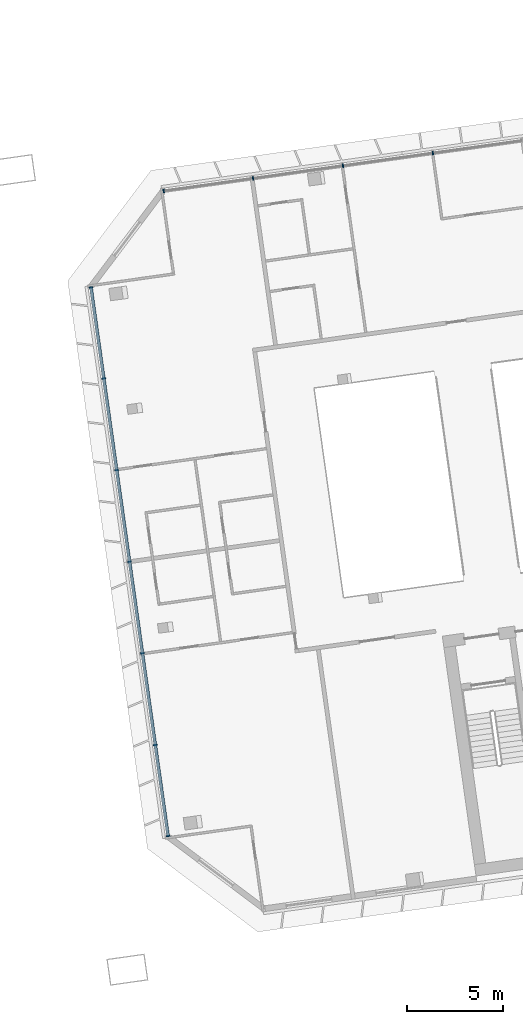
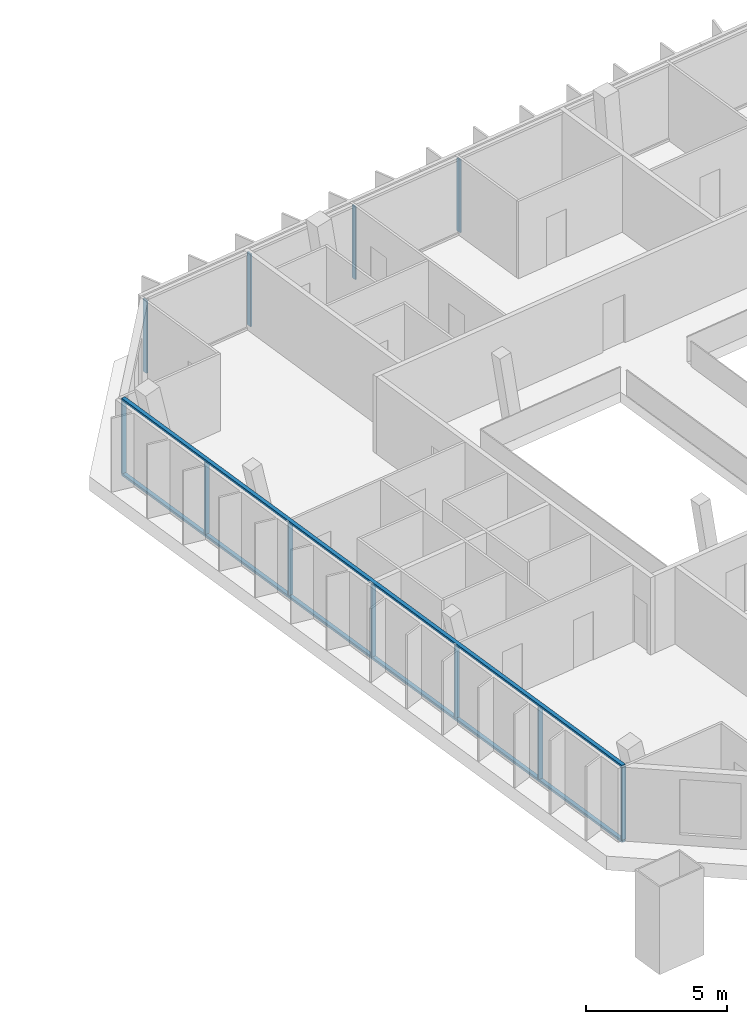
# One storey, part 8 of 25: 13 members, 2 elements without a shape of their own.
"""IFC4 building model written with IfcOpenShell, lengths in metres."""

from ifc_helpers import new_model, si_unit, direction, frame, origin, origin_2d, place, context, subcontext, project, spatial, rectangle, extrude, material, material_profile, profile_set, type_object, element, aggregate, save


model = new_model("IFC4")

# Units and contexts
model_context = context("Model", 3, precision=1e-05, world=origin(), true_north=direction((0.0, 1.0)))
body_context = subcontext(model_context, "Body", "Model", "MODEL_VIEW")
ifc_project = project(units=[si_unit("LENGTHUNIT", "METRE"), si_unit("AREAUNIT", "SQUARE_METRE"), si_unit("VOLUMEUNIT", "CUBIC_METRE"), si_unit("PLANEANGLEUNIT", "RADIAN"), si_unit("MASSUNIT", "GRAM", prefix="KILO")], contexts=[model_context])

# Site, building, storey
site_placement = place(None, origin())
site = spatial("IfcSite", under=ifc_project, at=site_placement, CompositionType="ELEMENT")
building_placement = place(site_placement, origin())
building = spatial("IfcBuilding", under=site, at=building_placement, Name="Mirante Cascada Hotel Towers", CompositionType="ELEMENT")
storey_placement = place(building_placement, frame((0.0, 0.0, 247.0)))
storey = spatial("IfcBuildingStorey", under=building, at=storey_placement, Name="L59", CompositionType="ELEMENT", Elevation=247.0)

# Curtain wall, members
ifc_material_1 = material(Name="Aluminium mullion and transom frame with clear laminated glass", Category="aluminium")
curtain_wall_type_1 = type_object("IfcCurtainWallType", Name="Ribbon curtain wall ECW1", PredefinedType="NOTDEFINED", material=ifc_material_1)
curtain_wall_1_placement = place(storey_placement, origin())
curtain_wall_1 = element("IfcCurtainWall", 1, at=curtain_wall_1_placement, inside=storey, type_object=curtain_wall_type_1, Name="Front ribbon wall T2 L59", PredefinedType="NOTDEFINED")
ifc_material_2 = material(Name="Anodised aluminium extrusion", Category="aluminium")
ifc_material_profile_1 = material_profile(ifc_material_2, rectangle(XDim=0.2, YDim=0.065, at=origin_2d()), Name="ECW1 MULLION 65x200")
ifc_profile_set_1 = profile_set([ifc_material_profile_1], Name="Anodised aluminium extrusion")
member_type_1 = type_object("IfcMemberType", Name="ECW1 mullion 65x200", PredefinedType="MULLION", material=ifc_profile_set_1)
member_1_placement = place(storey_placement, frame((35.1139, 17.754, 0.1), z_axis=(0.0, 0.0, 1.0), x_axis=(0.1391731, -0.9902681, 0.0)))
member_1 = element("IfcMember", 2, at=member_1_placement, type_object=member_type_1, Name="ECW1 mullion 6", PredefinedType="MULLION", context=body_context, shape_type="SweptSolid", body=[
    extrude(rectangle(XDim=0.2, YDim=0.065, at=origin_2d()), origin(), (0.0, 0.0, 1.0), 3.15),
])
member_2_placement = place(storey_placement, frame((30.435, 17.0964, 0.1), z_axis=(0.0, 0.0, 1.0), x_axis=(0.1391731, -0.9902681, 0.0)))
member_2 = element("IfcMember", 3, at=member_2_placement, type_object=member_type_1, Name="ECW1 mullion 7", PredefinedType="MULLION", context=body_context, shape_type="SweptSolid", body=[
    extrude(rectangle(XDim=0.2, YDim=0.065, at=origin_2d()), origin(), (0.0, 0.0, 1.0), 3.15),
])
member_3_placement = place(storey_placement, frame((25.756, 16.4388, 0.1), z_axis=(0.0, 0.0, 1.0), x_axis=(0.1391731, -0.9902681, 0.0)))
member_3 = element("IfcMember", 4, at=member_3_placement, type_object=member_type_1, Name="ECW1 mullion 8", PredefinedType="MULLION", context=body_context, shape_type="SweptSolid", body=[
    extrude(rectangle(XDim=0.2, YDim=0.065, at=origin_2d()), origin(), (0.0, 0.0, 1.0), 3.15),
])
member_4_placement = place(storey_placement, frame((21.1093, 15.7857, 0.1), z_axis=(0.0, 0.0, 1.0), x_axis=(0.1391731, -0.9902681, 0.0)))
member_4 = element("IfcMember", 5, at=member_4_placement, type_object=member_type_1, Name="ECW1 mullion 9", PredefinedType="MULLION", context=body_context, shape_type="SweptSolid", body=[
    extrude(rectangle(XDim=0.2, YDim=0.065, at=origin_2d()), origin(), (0.0, 0.0, 1.0), 3.15),
])
aggregate(curtain_wall_1, [member_1, member_2, member_3, member_4])

ifc_material_3 = material(Name="Aluminium mullion and transom frame with clear laminated glass", Category="aluminium")
curtain_wall_type_2 = type_object("IfcCurtainWallType", Name="End ribbon curtain wall ECW2", PredefinedType="NOTDEFINED", material=ifc_material_3)
curtain_wall_2_placement = place(storey_placement, origin())
curtain_wall_2 = element("IfcCurtainWall", 6, at=curtain_wall_2_placement, inside=storey, type_object=curtain_wall_type_2, Name="Inner end wall T2 L59", PredefinedType="NOTDEFINED")
ifc_material_4 = material(Name="Anodised aluminium extrusion", Category="aluminium")
ifc_material_profile_2 = material_profile(ifc_material_4, rectangle(XDim=0.2, YDim=0.065, at=origin_2d()), Name="ECW2 MULLION 65x200")
ifc_profile_set_2 = profile_set([ifc_material_profile_2], Name="Anodised aluminium extrusion")
member_type_2 = type_object("IfcMemberType", Name="ECW2 mullion 65x200", PredefinedType="MULLION", material=ifc_profile_set_2)
member_5_placement = place(storey_placement, frame((17.3265, 10.7658, 0.1), z_axis=(0.0, 0.0, 1.0), x_axis=(0.9902681, 0.1391731, 0.0)))
member_5 = element("IfcMember", 7, at=member_5_placement, type_object=member_type_2, Name="ECW2 mullion 1", PredefinedType="MULLION", context=body_context, shape_type="SweptSolid", body=[
    extrude(rectangle(XDim=0.2, YDim=0.065, at=origin_2d()), origin(), (0.0, 0.0, 1.0), 3.15),
])
member_6_placement = place(storey_placement, frame((17.9918, 6.0322, 0.1), z_axis=(0.0, 0.0, 1.0), x_axis=(0.9902681, 0.1391731, 0.0)))
member_6 = element("IfcMember", 8, at=member_6_placement, type_object=member_type_2, Name="ECW2 mullion 2", PredefinedType="MULLION", context=body_context, shape_type="SweptSolid", body=[
    extrude(rectangle(XDim=0.2, YDim=0.065, at=origin_2d()), origin(), (0.0, 0.0, 1.0), 3.15),
])
member_7_placement = place(storey_placement, frame((18.6616, 1.2664, 0.1), z_axis=(0.0, 0.0, 1.0), x_axis=(0.9902681, 0.1391731, 0.0)))
member_7 = element("IfcMember", 9, at=member_7_placement, type_object=member_type_2, Name="ECW2 mullion 3", PredefinedType="MULLION", context=body_context, shape_type="SweptSolid", body=[
    extrude(rectangle(XDim=0.2, YDim=0.065, at=origin_2d()), origin(), (0.0, 0.0, 1.0), 3.15),
])
member_8_placement = place(storey_placement, frame((19.3313, -3.4994, 0.1), z_axis=(0.0, 0.0, 1.0), x_axis=(0.9902681, 0.1391731, 0.0)))
member_8 = element("IfcMember", 10, at=member_8_placement, type_object=member_type_2, Name="ECW2 mullion 4", PredefinedType="MULLION", context=body_context, shape_type="SweptSolid", body=[
    extrude(rectangle(XDim=0.2, YDim=0.065, at=origin_2d()), origin(), (0.0, 0.0, 1.0), 3.15),
])
member_9_placement = place(storey_placement, frame((20.0011, -8.2652, 0.1), z_axis=(0.0, 0.0, 1.0), x_axis=(0.9902681, 0.1391731, 0.0)))
member_9 = element("IfcMember", 11, at=member_9_placement, type_object=member_type_2, Name="ECW2 mullion 5", PredefinedType="MULLION", context=body_context, shape_type="SweptSolid", body=[
    extrude(rectangle(XDim=0.2, YDim=0.065, at=origin_2d()), origin(), (0.0, 0.0, 1.0), 3.15),
])
member_10_placement = place(storey_placement, frame((20.6709, -13.031, 0.1), z_axis=(0.0, 0.0, 1.0), x_axis=(0.9902681, 0.1391731, 0.0)))
member_10 = element("IfcMember", 12, at=member_10_placement, type_object=member_type_2, Name="ECW2 mullion 6", PredefinedType="MULLION", context=body_context, shape_type="SweptSolid", body=[
    extrude(rectangle(XDim=0.2, YDim=0.065, at=origin_2d()), origin(), (0.0, 0.0, 1.0), 3.15),
])
member_11_placement = place(storey_placement, frame((21.3362, -17.7646, 0.1), z_axis=(0.0, 0.0, 1.0), x_axis=(0.9902681, 0.1391731, 0.0)))
member_11 = element("IfcMember", 13, at=member_11_placement, type_object=member_type_2, Name="ECW2 mullion 7", PredefinedType="MULLION", context=body_context, shape_type="SweptSolid", body=[
    extrude(rectangle(XDim=0.2, YDim=0.065, at=origin_2d()), origin(), (0.0, 0.0, 1.0), 3.15),
])
ifc_material_5 = material(Name="Anodised aluminium extrusion", Category="aluminium")
ifc_material_profile_3 = material_profile(ifc_material_5, rectangle(XDim=0.16, YDim=0.1, at=origin_2d()), Name="ECW2 TRANSOM 100x160")
ifc_profile_set_3 = profile_set([ifc_material_profile_3], Name="Anodised aluminium extrusion")
member_type_3 = type_object("IfcMemberType", Name="ECW2 transom 100x160", PredefinedType="USERDEFINED", material=ifc_profile_set_3)
member_12_placement = place(storey_placement, frame((17.322, 10.798, 0.05), z_axis=(0.1391723, -0.9902682, 0.0), x_axis=(0.9902682, 0.1391723, 0.0)))
member_12 = element("IfcMember", 14, at=member_12_placement, type_object=member_type_3, Name="ECW2 sill transom", ObjectType="TRANSOM", PredefinedType="USERDEFINED", context=body_context, shape_type="SweptSolid", body=[
    extrude(rectangle(XDim=0.16, YDim=0.1, at=origin_2d()), origin(), (0.0, 0.0, 1.0), 28.8757),
])
member_13_placement = place(storey_placement, frame((17.322, 10.798, 3.3), z_axis=(0.1391723, -0.9902682, 0.0), x_axis=(0.9902682, 0.1391723, 0.0)))
member_13 = element("IfcMember", 15, at=member_13_placement, type_object=member_type_3, Name="ECW2 head transom", ObjectType="TRANSOM", PredefinedType="USERDEFINED", context=body_context, shape_type="SweptSolid", body=[
    extrude(rectangle(XDim=0.16, YDim=0.1, at=origin_2d()), origin(), (0.0, 0.0, 1.0), 28.8757),
])
aggregate(curtain_wall_2, [member_12, member_13, member_5, member_6, member_7, member_8, member_9, member_10, member_11])

save(model, "model.ifc")
